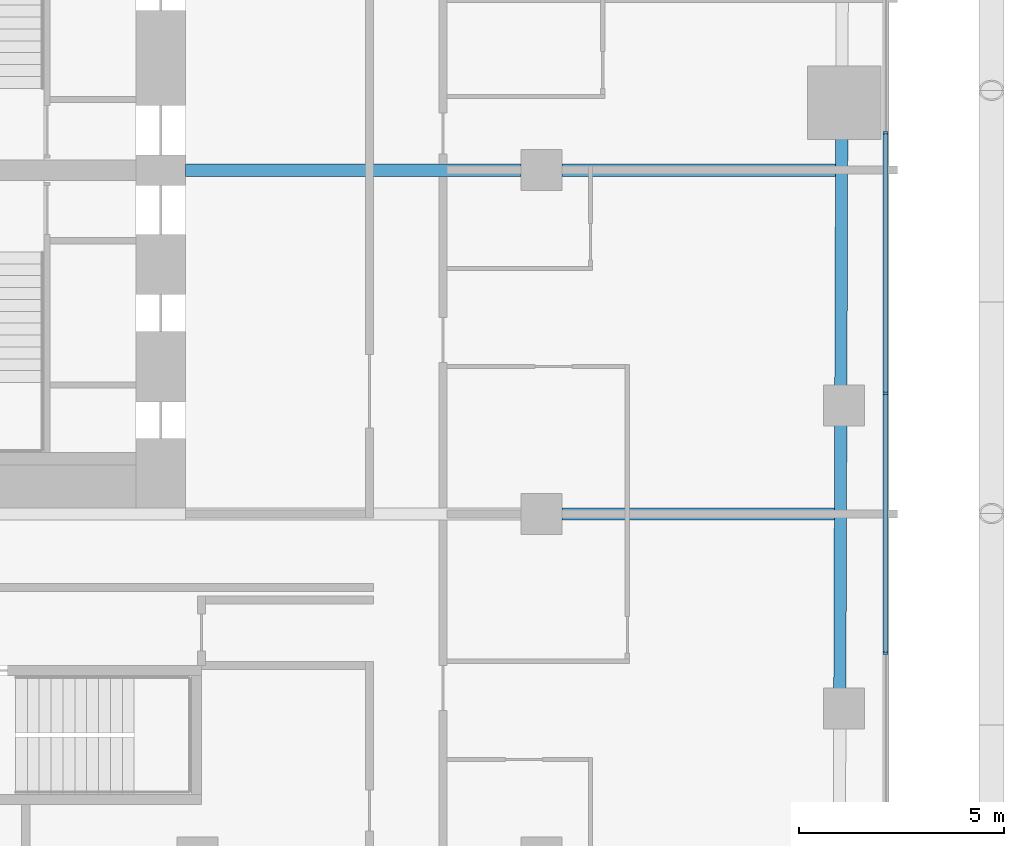
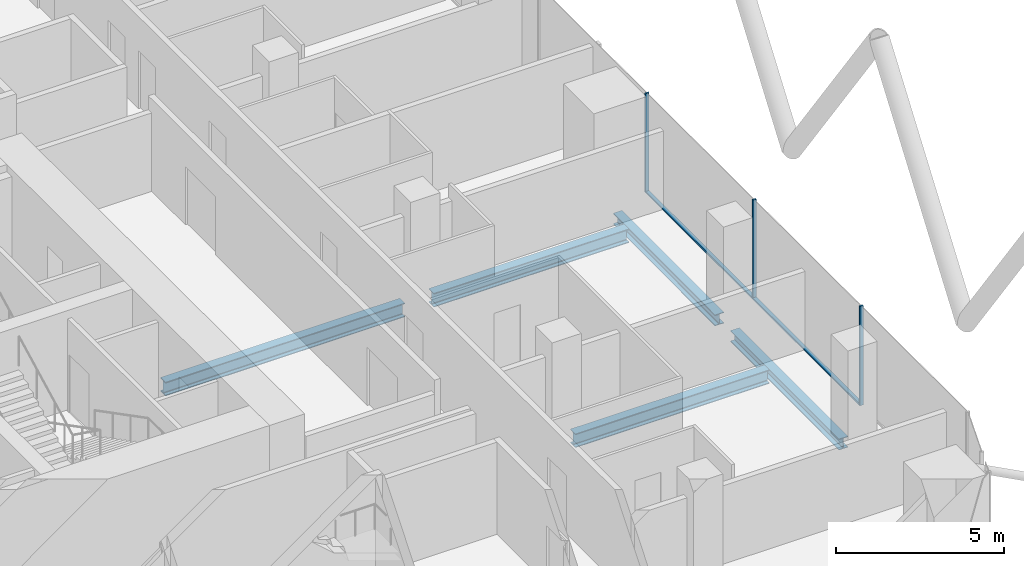
# One storey, part 8 of 34: 5 beams, 5 members, 1 element without a shape of its own.
"""IFC4 building model written with IfcOpenShell, lengths in metres."""

import ifcopenshell
import ifcopenshell.guid

model = None  # the IFC model being written
_history = None  # IfcOwnerHistory: only IFC2X3 demands one
_inside = {}  # id of a spatial element -> (the spatial element, [elements in it])
_under = {}  # id of a project, library or spatial element -> (it, [spatial elements below it])
_declared = {}  # id of a project -> (the project, [libraries it declares])
_typed = {}  # id of a type object -> (the type object, [elements of that type])
_made_of = {}  # id of a material, layer set ... -> (it, [elements and type objects made of it])


def new_model(schema):
    """Start an empty IFC model of exactly this schema.

    Asked for "IFC4X3", IfcOpenShell would pick the latest addendum, in which some entities
    have other attributes; the version numbers below select the first issue.
    IFC2X3 requires an IfcOwnerHistory on every rooted entity: one is made here for all.
    """
    global model, _history
    if schema == "IFC4X3":
        model = ifcopenshell.file(schema_version=(4, 3, 0, 0))
    else:
        model = ifcopenshell.file(schema=schema)
    _inside.clear()
    _under.clear()
    _declared.clear()
    _typed.clear()
    _made_of.clear()
    _history = None
    if model.schema == "IFC2X3":
        org = make("IfcOrganization", Name="unknown")
        user = make(
            "IfcPersonAndOrganization",
            ThePerson=make("IfcPerson", FamilyName="unknown"),
            TheOrganization=org,
        )
        app = make(
            "IfcApplication",
            ApplicationDeveloper=org,
            Version="unknown",
            ApplicationFullName="unknown",
            ApplicationIdentifier="unknown",
        )
        _history = make(
            "IfcOwnerHistory",
            OwningUser=user,
            OwningApplication=app,
            ChangeAction="ADDED",
            CreationDate=0,
        )
    return model


def make(cls, **values):
    """One entity of the class cls with the attributes given. An attribute that is None is left unset."""
    return model.create_entity(
        cls, **{name: value for name, value in values.items() if value is not None}
    )


def rooted(cls, **values):
    """An entity with a GlobalId (a new one), such as an element, a storey or a relation."""
    return make(cls, GlobalId=ifcopenshell.guid.new(), OwnerHistory=_history, **values)


def si_unit(unit_type, name, prefix=None):
    """IfcSIUnit, for example si_unit("LENGTHUNIT", "METRE", prefix="MILLI")."""
    return make("IfcSIUnit", UnitType=unit_type, Prefix=prefix, Name=name)


def assignment(units):
    """IfcUnitAssignment: the units of a project."""
    return None if units is None else make("IfcUnitAssignment", Units=units)


def point(xyz):
    """IfcCartesianPoint."""
    return None if xyz is None else make("IfcCartesianPoint", Coordinates=xyz)


def direction(xyz):
    """IfcDirection."""
    return None if xyz is None else make("IfcDirection", DirectionRatios=xyz)


def frame(location, z_axis=None, x_axis=None):
    """IfcAxis2Placement3D, a coordinate frame: its origin and axes. An axis left out is left unset."""
    return make(
        "IfcAxis2Placement3D",
        Location=point(location),
        Axis=direction(z_axis),
        RefDirection=direction(x_axis),
    )


def frame_2d(location, x_axis=None):
    """IfcAxis2Placement2D, a coordinate frame in the plane: its origin and x axis."""
    return make(
        "IfcAxis2Placement2D", Location=point(location), RefDirection=direction(x_axis)
    )


def origin():
    """The frame at (0, 0, 0) with its axes left unset."""
    return frame((0.0, 0.0, 0.0))


def origin_2d():
    """The frame at (0, 0) in the plane with its x axis left unset."""
    return frame_2d((0.0, 0.0))


def place(relative_to, where):
    """IfcLocalPlacement: puts the frame where relative to a parent placement (None: the world)."""
    return make(
        "IfcLocalPlacement", PlacementRelTo=relative_to, RelativePlacement=where
    )


def context(
    kind, dimensions, precision=None, world=None, true_north=None, identifier=None
):
    """IfcGeometricRepresentationContext, for example the 3D "Model" context."""
    return make(
        "IfcGeometricRepresentationContext",
        ContextIdentifier=identifier,
        ContextType=kind,
        CoordinateSpaceDimension=dimensions,
        Precision=precision,
        WorldCoordinateSystem=world,
        TrueNorth=true_north,
    )


def subcontext(parent, identifier, kind, view, scale=None):
    """IfcGeometricRepresentationSubContext, for example "Body" below "Model"."""
    return make(
        "IfcGeometricRepresentationSubContext",
        ContextIdentifier=identifier,
        ContextType=kind,
        ParentContext=parent,
        TargetScale=scale,
        TargetView=view,
    )


def project(units=None, contexts=None):
    """IfcProject with its units and contexts."""
    return rooted(
        "IfcProject",
        Name="project",
        RepresentationContexts=contexts,
        UnitsInContext=assignment(units),
    )


def spatial(cls, under=None, at=None, **own):
    """A site, building, storey or space (cls), placed at a placement, below another one or the project."""
    s = rooted(cls, ObjectPlacement=at, **own)
    if under is not None:
        _under.setdefault(under.id(), (under, []))[1].append(s)
    return s


def profile(cls, at=None, kind="AREA", **sizes):
    """A parametric profile (cls). Its sizes go by their IFC names, for example OverallWidth=200.0."""
    return make(cls, ProfileType=kind, Position=at, **sizes)


def rectangle(**sizes):
    """IfcRectangleProfileDef."""
    return profile("IfcRectangleProfileDef", **sizes)


def i_section(**sizes):
    """IfcIShapeProfileDef."""
    return profile("IfcIShapeProfileDef", **sizes)


def extrude(swept, where, along, depth):
    """IfcExtrudedAreaSolid: the profile swept, set in the frame where, extruded along a direction by depth."""
    return make(
        "IfcExtrudedAreaSolid",
        SweptArea=swept,
        Position=where,
        ExtrudedDirection=direction(along),
        Depth=depth,
    )


def shape(context_of_items, identifier, shape_type, items):
    """IfcShapeRepresentation: the items that make up one representation, for example the "Body"."""
    return make(
        "IfcShapeRepresentation",
        ContextOfItems=context_of_items,
        RepresentationIdentifier=identifier,
        RepresentationType=shape_type,
        Items=items,
    )


def material(Name=None, Category=None):
    """IfcMaterial."""
    return make("IfcMaterial", Name=Name, Category=Category)


def layer(
    of_material, thickness, ventilated=None, Name=None, Category=None, Priority=None
):
    """IfcMaterialLayer: one layer of a wall or slab, of a material (None: an air gap)."""
    return make(
        "IfcMaterialLayer",
        Material=of_material,
        LayerThickness=thickness,
        IsVentilated=ventilated,
        Name=Name,
        Category=Category,
        Priority=Priority,
    )


def layer_set(layers, Name=None):
    """IfcMaterialLayerSet."""
    return make("IfcMaterialLayerSet", MaterialLayers=layers, LayerSetName=Name)


def material_profile(
    of_material, cross_section, Name=None, Category=None, Priority=None
):
    """IfcMaterialProfile: a cross section and its material."""
    return make(
        "IfcMaterialProfile",
        Name=Name,
        Material=of_material,
        Profile=cross_section,
        Priority=Priority,
        Category=Category,
    )


def profile_set(profiles, Name=None, composite=None):
    """IfcMaterialProfileSet."""
    return make(
        "IfcMaterialProfileSet",
        Name=Name,
        MaterialProfiles=profiles,
        CompositeProfile=composite,
    )


def made_of(thing, what):
    """Note that an element or type object is made of a material, layer set ...; save() writes the relation."""
    if what is not None:
        _made_of.setdefault(what.id(), (what, []))[1].append(thing)
    return thing


def type_object(cls, material=None, **own):
    """A type object (cls), such as IfcWallType, which elements share."""
    return made_of(rooted(cls, **own), material)


def element(
    cls,
    number,
    at=None,
    inside=None,
    cuts=None,
    type_object=None,
    material=None,
    context=None,
    identifier="Body",
    shape_type=None,
    held_by="IfcProductDefinitionShape",
    body=None,
    shapes=None,
    **own,
):
    """One element of the class cls, such as IfcWall. Its Tag is "e" and its number.

    at: its placement. inside: the storey or other place that contains it. cuts: it is an
    opening in that element (IfcRelVoidsElement). A single representation is given by context,
    identifier, shape_type and body (its items); several are given by shapes. held_by: the class
    of the entity that holds the representations. save() writes the other relations.
    """
    e = rooted(cls, Tag="e%d" % number, ObjectPlacement=at, **own)
    if body is not None:
        shapes = [shape(context, identifier, shape_type, body)]
    if shapes is not None:
        e.Representation = make(held_by, Representations=shapes)
    if inside is not None:
        _inside.setdefault(inside.id(), (inside, []))[1].append(e)
    if cuts is not None:
        rooted(
            "IfcRelVoidsElement", RelatingBuildingElement=cuts, RelatedOpeningElement=e
        )
    if type_object is not None:
        _typed.setdefault(type_object.id(), (type_object, []))[1].append(e)
    return made_of(e, material)


def aggregate(whole, parts):
    """IfcRelAggregates: a whole, such as a stair, and the parts it consists of."""
    return rooted("IfcRelAggregates", RelatingObject=whole, RelatedObjects=parts)


def save(model, path):
    """Write the relations noted so far, then the file.

    IfcRelAggregates (storeys below a building ...), IfcRelContainedInSpatialStructure (elements
    in a storey), IfcRelDefinesByType, IfcRelAssociatesMaterial and IfcRelDeclares: one each for
    every whole, place, type object, material and project.
    """
    for whole, parts in _under.values():
        aggregate(whole, parts)
    for where, things in _inside.values():
        rooted(
            "IfcRelContainedInSpatialStructure",
            RelatedElements=things,
            RelatingStructure=where,
        )
    for kind, things in _typed.values():
        rooted("IfcRelDefinesByType", RelatedObjects=things, RelatingType=kind)
    for what, things in _made_of.values():
        rooted("IfcRelAssociatesMaterial", RelatedObjects=things, RelatingMaterial=what)
    for by, libraries in _declared.values():
        rooted("IfcRelDeclares", RelatingContext=by, RelatedDefinitions=libraries)
    model.write(path)


model = new_model("IFC4")

# Units and contexts
model_context = context("Model", 3, precision=1e-05, world=origin(), true_north=direction((0.0, 1.0)))
body_context = subcontext(model_context, "Body", "Model", "MODEL_VIEW")
ifc_project = project(units=[si_unit("LENGTHUNIT", "METRE"), si_unit("AREAUNIT", "SQUARE_METRE"), si_unit("VOLUMEUNIT", "CUBIC_METRE"), si_unit("PLANEANGLEUNIT", "RADIAN"), si_unit("MASSUNIT", "GRAM", prefix="KILO")], contexts=[model_context])

# Site, building, storey
site_placement = place(None, origin())
site = spatial("IfcSite", under=ifc_project, at=site_placement, CompositionType="ELEMENT")
building_placement = place(site_placement, origin())
building = spatial("IfcBuilding", under=site, at=building_placement, Name="Marenta Gate Hotel Tower", CompositionType="ELEMENT")
storey_placement = place(building_placement, frame((0.0, 0.0, 47.300048828125)))
storey = spatial("IfcBuildingStorey", under=building, at=storey_placement, Name="L09", CompositionType="ELEMENT", Elevation=47.300048828125)

# Beams
ifc_material_1 = material(Name="Steel S355", Category="steel")
ifc_material_profile_1 = material_profile(ifc_material_1, i_section(OverallWidth=0.300048828125, OverallDepth=0.39990234375, WebThickness=0.013427734375, FlangeThickness=0.02392578125, FilletRadius=0.027099609375, at=origin_2d()), Name="HEB 400")
ifc_profile_set_1 = profile_set([ifc_material_profile_1], Name="Steel S355")
beam_type_1 = type_object("IfcBeamType", Name="Edge beam HEB 400", PredefinedType="SPANDREL", material=ifc_profile_set_1)
beam_1_placement = place(storey_placement, frame((28.3388671875, 9.18994140625, -0.4599609375), z_axis=(-0.003332378012, -0.999994447613, 0.0), x_axis=(0.999994447613, -0.003332378012, 0.0)))
element("IfcBeam", 1, at=beam_1_placement, inside=storey, type_object=beam_type_1, Name="L09-EB-25", PredefinedType="SPANDREL", context=body_context, shape_type="SweptSolid", body=[
    extrude(i_section(OverallWidth=0.300048828125, OverallDepth=0.39990234375, WebThickness=0.013427734375, FlangeThickness=0.02392578125, FilletRadius=0.027099609375, at=origin_2d()), origin(), (0.0, 0.0, 1.0), 6.080810546875),
])
beam_2_placement = place(storey_placement, frame((28.315673828125, 2.189208984375, -0.4599609375), z_axis=(-0.003352525703, -0.99999438027, 0.0), x_axis=(0.99999438027, -0.003352525703, 0.0)))
element("IfcBeam", 2, at=beam_2_placement, inside=storey, type_object=beam_type_1, Name="L09-EB-26", PredefinedType="SPANDREL", context=body_context, shape_type="SweptSolid", body=[
    extrude(i_section(OverallWidth=0.300048828125, OverallDepth=0.39990234375, WebThickness=0.013427734375, FlangeThickness=0.02392578125, FilletRadius=0.027099609375, at=origin_2d()), origin(), (0.0, 0.0, 1.0), 6.481201171875),
])
ifc_material_2 = material(Name="Steel S355", Category="steel")
ifc_material_profile_2 = material_profile(ifc_material_2, i_section(OverallWidth=0.300048828125, OverallDepth=0.5, WebThickness=0.014404296875, FlangeThickness=0.028076171875, FilletRadius=0.027099609375, at=origin_2d()), Name="HEB 500")
ifc_profile_set_2 = profile_set([ifc_material_profile_2], Name="Steel S355")
beam_type_2 = type_object("IfcBeamType", Name="Girder HEB 500", PredefinedType="BEAM", material=ifc_profile_set_2)
beam_3_placement = place(storey_placement, frame((21.5, 0.0, -0.510009765625), z_axis=(1.0, 0.0, 0.0), x_axis=(0.0, 1.0, 0.0)))
element("IfcBeam", 3, at=beam_3_placement, inside=storey, type_object=beam_type_2, Name="L09-GD-12", PredefinedType="BEAM", context=body_context, shape_type="SweptSolid", body=[
    extrude(i_section(OverallWidth=0.300048828125, OverallDepth=0.5, WebThickness=0.014404296875, FlangeThickness=0.028076171875, FilletRadius=0.027099609375, at=origin_2d()), origin(), (0.0, 0.0, 1.0), 6.658203125),
])
beam_4_placement = place(storey_placement, frame((12.300048828125, 8.39990234375, -0.510009765625), z_axis=(1.0, 0.0, 0.0), x_axis=(0.0, 1.0, 0.0)))
element("IfcBeam", 4, at=beam_4_placement, inside=storey, type_object=beam_type_2, Name="L09-GD-15", PredefinedType="BEAM", context=body_context, shape_type="SweptSolid", body=[
    extrude(i_section(OverallWidth=0.300048828125, OverallDepth=0.5, WebThickness=0.014404296875, FlangeThickness=0.028076171875, FilletRadius=0.027099609375, at=origin_2d()), origin(), (0.0, 0.0, 1.0), 8.199951171875),
])
beam_5_placement = place(storey_placement, frame((21.5, 8.39990234375, -0.510009765625), z_axis=(1.0, 0.0, 0.0), x_axis=(0.0, 1.0, 0.0)))
element("IfcBeam", 5, at=beam_5_placement, inside=storey, type_object=beam_type_2, Name="L09-GD-16", PredefinedType="BEAM", context=body_context, shape_type="SweptSolid", body=[
    extrude(i_section(OverallWidth=0.300048828125, OverallDepth=0.5, WebThickness=0.014404296875, FlangeThickness=0.028076171875, FilletRadius=0.027099609375, at=origin_2d()), origin(), (0.0, 0.0, 1.0), 6.686279296875),
])

# Curtain wall, members
ifc_material_3 = material(Name="Tinted insulated glass in bronze anodised frame", Category="glass")
ifc_layer = layer(ifc_material_3, 0.1201171875)
ifc_layer_set = layer_set([ifc_layer], Name="Tinted insulated glass in bronze anodised frame")
curtain_wall_type = type_object("IfcCurtainWallType", Name="Tower unitised curtain wall CW1", PredefinedType="NOTDEFINED", material=ifc_layer_set)
curtain_wall_placement = place(storey_placement, origin())
curtain_wall = element("IfcCurtainWall", 6, at=curtain_wall_placement, inside=storey, type_object=curtain_wall_type, Name="CW1 run G18", PredefinedType="NOTDEFINED")
ifc_material_4 = material(Name="Bronze anodised aluminium", Category="aluminium")
ifc_material_profile_3 = material_profile(ifc_material_4, rectangle(XDim=0.1201171875, YDim=0.06005859375, at=origin_2d()), Name="Mullion CW1 60x120 bronze anodised aluminium")
ifc_profile_set_3 = profile_set([ifc_material_profile_3], Name="Bronze anodised aluminium")
member_type_1 = type_object("IfcMemberType", Name="Mullion CW1 60x120 bronze anodised aluminium", PredefinedType="MULLION", material=ifc_profile_set_3)
member_1_placement = place(storey_placement, frame((29.4140625, -3.407958984375, 0.0), z_axis=(0.0, 0.0, 1.0), x_axis=(-1.0, 0.0, 0.0)))
member_1 = element("IfcMember", 7, at=member_1_placement, type_object=member_type_1, Name="CW1 mullion 2", PredefinedType="MULLION", context=body_context, shape_type="SweptSolid", body=[
    extrude(rectangle(XDim=0.1201171875, YDim=0.06005859375, at=origin_2d()), origin(), (0.0, 0.0, 1.0), 3.599853515625),
])
member_2_placement = place(storey_placement, frame((29.4140625, 2.951904296875, 0.0), z_axis=(0.0, 0.0, 1.0), x_axis=(-1.0, 0.0, 0.0)))
member_2 = element("IfcMember", 8, at=member_2_placement, type_object=member_type_1, Name="CW1 mullion 3", PredefinedType="MULLION", context=body_context, shape_type="SweptSolid", body=[
    extrude(rectangle(XDim=0.1201171875, YDim=0.06005859375, at=origin_2d()), origin(), (0.0, 0.0, 1.0), 3.599853515625),
])
member_3_placement = place(storey_placement, frame((29.4140625, 9.31201171875, 0.0), z_axis=(0.0, 0.0, 1.0), x_axis=(-1.0, 0.0, 0.0)))
member_3 = element("IfcMember", 9, at=member_3_placement, type_object=member_type_1, Name="CW1 mullion 4", PredefinedType="MULLION", context=body_context, shape_type="SweptSolid", body=[
    extrude(rectangle(XDim=0.1201171875, YDim=0.06005859375, at=origin_2d()), origin(), (0.0, 0.0, 1.0), 3.599853515625),
])
ifc_material_5 = material(Name="Bronze anodised aluminium", Category="aluminium")
ifc_material_profile_4 = material_profile(ifc_material_5, rectangle(XDim=0.1201171875, YDim=0.06005859375, at=origin_2d()), Name="Transom CW1 60x120 bronze anodised aluminium")
ifc_profile_set_4 = profile_set([ifc_material_profile_4], Name="Bronze anodised aluminium")
member_type_2 = type_object("IfcMemberType", Name="Transom CW1 60x120 bronze anodised aluminium", PredefinedType="USERDEFINED", material=ifc_profile_set_4)
member_4_placement = place(storey_placement, frame((29.4140625, -3.3779296875, 0.030029296875), z_axis=(0.0, 1.0, 0.0), x_axis=(-1.0, 0.0, 0.0)))
member_4 = element("IfcMember", 10, at=member_4_placement, type_object=member_type_2, Name="CW1 transom 2.1", ObjectType="TRANSOM", PredefinedType="USERDEFINED", context=body_context, shape_type="SweptSolid", body=[
    extrude(rectangle(XDim=0.1201171875, YDim=0.06005859375, at=origin_2d()), origin(), (0.0, 0.0, 1.0), 6.2998046875),
])
member_5_placement = place(storey_placement, frame((29.4140625, 2.98193359375, 0.030029296875), z_axis=(0.0, 1.0, 0.0), x_axis=(-1.0, 0.0, 0.0)))
member_5 = element("IfcMember", 11, at=member_5_placement, type_object=member_type_2, Name="CW1 transom 3.1", ObjectType="TRANSOM", PredefinedType="USERDEFINED", context=body_context, shape_type="SweptSolid", body=[
    extrude(rectangle(XDim=0.1201171875, YDim=0.06005859375, at=origin_2d()), origin(), (0.0, 0.0, 1.0), 6.300048828125),
])
aggregate(curtain_wall, [member_1, member_2, member_3, member_4, member_5])

save(model, "model.ifc")
